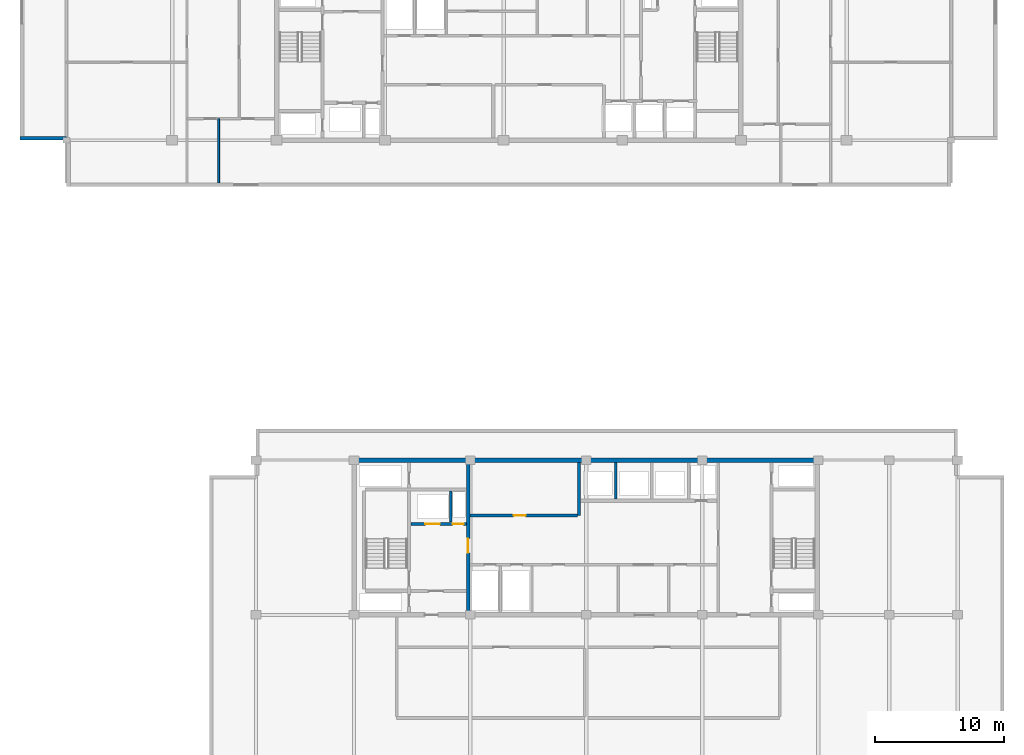
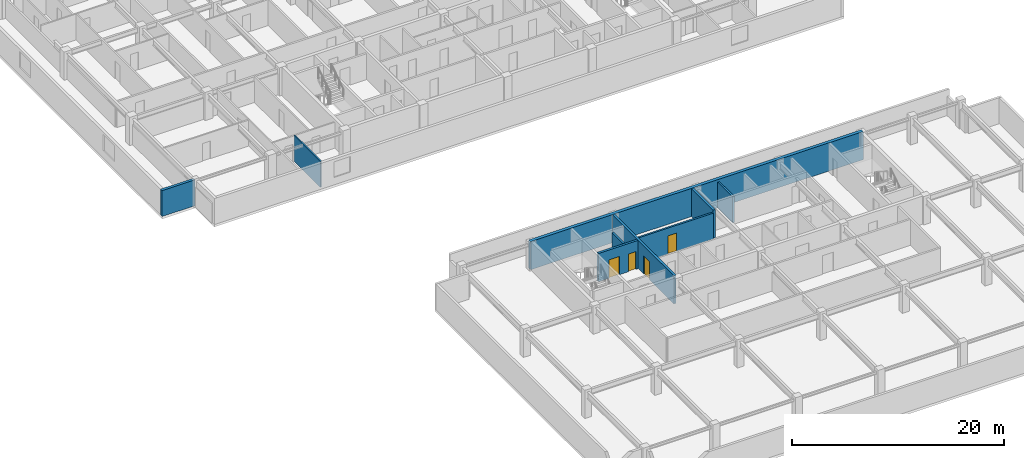
# One storey, part 5 of 17: 9 walls, 4 doors, 4 openings.
"""IFC4 building model written with IfcOpenShell, lengths in metres."""

import ifcopenshell
import ifcopenshell.guid

model = None  # the IFC model being written
_history = None  # IfcOwnerHistory: only IFC2X3 demands one
_inside = {}  # id of a spatial element -> (the spatial element, [elements in it])
_under = {}  # id of a project, library or spatial element -> (it, [spatial elements below it])
_declared = {}  # id of a project -> (the project, [libraries it declares])
_typed = {}  # id of a type object -> (the type object, [elements of that type])
_made_of = {}  # id of a material, layer set ... -> (it, [elements and type objects made of it])


def new_model(schema):
    """Start an empty IFC model of exactly this schema.

    Asked for "IFC4X3", IfcOpenShell would pick the latest addendum, in which some entities
    have other attributes; the version numbers below select the first issue.
    IFC2X3 requires an IfcOwnerHistory on every rooted entity: one is made here for all.
    """
    global model, _history
    if schema == "IFC4X3":
        model = ifcopenshell.file(schema_version=(4, 3, 0, 0))
    else:
        model = ifcopenshell.file(schema=schema)
    _inside.clear()
    _under.clear()
    _declared.clear()
    _typed.clear()
    _made_of.clear()
    _history = None
    if model.schema == "IFC2X3":
        org = make("IfcOrganization", Name="unknown")
        user = make(
            "IfcPersonAndOrganization",
            ThePerson=make("IfcPerson", FamilyName="unknown"),
            TheOrganization=org,
        )
        app = make(
            "IfcApplication",
            ApplicationDeveloper=org,
            Version="unknown",
            ApplicationFullName="unknown",
            ApplicationIdentifier="unknown",
        )
        _history = make(
            "IfcOwnerHistory",
            OwningUser=user,
            OwningApplication=app,
            ChangeAction="ADDED",
            CreationDate=0,
        )
    return model


def make(cls, **values):
    """One entity of the class cls with the attributes given. An attribute that is None is left unset."""
    return model.create_entity(
        cls, **{name: value for name, value in values.items() if value is not None}
    )


def rooted(cls, **values):
    """An entity with a GlobalId (a new one), such as an element, a storey or a relation."""
    return make(cls, GlobalId=ifcopenshell.guid.new(), OwnerHistory=_history, **values)


def si_unit(unit_type, name, prefix=None):
    """IfcSIUnit, for example si_unit("LENGTHUNIT", "METRE", prefix="MILLI")."""
    return make("IfcSIUnit", UnitType=unit_type, Prefix=prefix, Name=name)


def assignment(units):
    """IfcUnitAssignment: the units of a project."""
    return None if units is None else make("IfcUnitAssignment", Units=units)


def point(xyz):
    """IfcCartesianPoint."""
    return None if xyz is None else make("IfcCartesianPoint", Coordinates=xyz)


def direction(xyz):
    """IfcDirection."""
    return None if xyz is None else make("IfcDirection", DirectionRatios=xyz)


def frame(location, z_axis=None, x_axis=None):
    """IfcAxis2Placement3D, a coordinate frame: its origin and axes. An axis left out is left unset."""
    return make(
        "IfcAxis2Placement3D",
        Location=point(location),
        Axis=direction(z_axis),
        RefDirection=direction(x_axis),
    )


def frame_2d(location, x_axis=None):
    """IfcAxis2Placement2D, a coordinate frame in the plane: its origin and x axis."""
    return make(
        "IfcAxis2Placement2D", Location=point(location), RefDirection=direction(x_axis)
    )


def origin():
    """The frame at (0, 0, 0) with its axes left unset."""
    return frame((0.0, 0.0, 0.0))


def place(relative_to, where):
    """IfcLocalPlacement: puts the frame where relative to a parent placement (None: the world)."""
    return make(
        "IfcLocalPlacement", PlacementRelTo=relative_to, RelativePlacement=where
    )


def context(
    kind, dimensions, precision=None, world=None, true_north=None, identifier=None
):
    """IfcGeometricRepresentationContext, for example the 3D "Model" context."""
    return make(
        "IfcGeometricRepresentationContext",
        ContextIdentifier=identifier,
        ContextType=kind,
        CoordinateSpaceDimension=dimensions,
        Precision=precision,
        WorldCoordinateSystem=world,
        TrueNorth=true_north,
    )


def subcontext(parent, identifier, kind, view, scale=None):
    """IfcGeometricRepresentationSubContext, for example "Body" below "Model"."""
    return make(
        "IfcGeometricRepresentationSubContext",
        ContextIdentifier=identifier,
        ContextType=kind,
        ParentContext=parent,
        TargetScale=scale,
        TargetView=view,
    )


def project(units=None, contexts=None):
    """IfcProject with its units and contexts."""
    return rooted(
        "IfcProject",
        Name="project",
        RepresentationContexts=contexts,
        UnitsInContext=assignment(units),
    )


def spatial(cls, under=None, at=None, **own):
    """A site, building, storey or space (cls), placed at a placement, below another one or the project."""
    s = rooted(cls, ObjectPlacement=at, **own)
    if under is not None:
        _under.setdefault(under.id(), (under, []))[1].append(s)
    return s


def profile(cls, at=None, kind="AREA", **sizes):
    """A parametric profile (cls). Its sizes go by their IFC names, for example OverallWidth=200.0."""
    return make(cls, ProfileType=kind, Position=at, **sizes)


def rectangle(**sizes):
    """IfcRectangleProfileDef."""
    return profile("IfcRectangleProfileDef", **sizes)


def extrude(swept, where, along, depth):
    """IfcExtrudedAreaSolid: the profile swept, set in the frame where, extruded along a direction by depth."""
    return make(
        "IfcExtrudedAreaSolid",
        SweptArea=swept,
        Position=where,
        ExtrudedDirection=direction(along),
        Depth=depth,
    )


def shape(context_of_items, identifier, shape_type, items):
    """IfcShapeRepresentation: the items that make up one representation, for example the "Body"."""
    return make(
        "IfcShapeRepresentation",
        ContextOfItems=context_of_items,
        RepresentationIdentifier=identifier,
        RepresentationType=shape_type,
        Items=items,
    )


def material(Name=None, Category=None):
    """IfcMaterial."""
    return make("IfcMaterial", Name=Name, Category=Category)


def layer(
    of_material, thickness, ventilated=None, Name=None, Category=None, Priority=None
):
    """IfcMaterialLayer: one layer of a wall or slab, of a material (None: an air gap)."""
    return make(
        "IfcMaterialLayer",
        Material=of_material,
        LayerThickness=thickness,
        IsVentilated=ventilated,
        Name=Name,
        Category=Category,
        Priority=Priority,
    )


def layer_set(layers, Name=None):
    """IfcMaterialLayerSet."""
    return make("IfcMaterialLayerSet", MaterialLayers=layers, LayerSetName=Name)


def made_of(thing, what):
    """Note that an element or type object is made of a material, layer set ...; save() writes the relation."""
    if what is not None:
        _made_of.setdefault(what.id(), (what, []))[1].append(thing)
    return thing


def type_object(cls, material=None, **own):
    """A type object (cls), such as IfcWallType, which elements share."""
    return made_of(rooted(cls, **own), material)


def element(
    cls,
    number,
    at=None,
    inside=None,
    cuts=None,
    type_object=None,
    material=None,
    context=None,
    identifier="Body",
    shape_type=None,
    held_by="IfcProductDefinitionShape",
    body=None,
    shapes=None,
    **own,
):
    """One element of the class cls, such as IfcWall. Its Tag is "e" and its number.

    at: its placement. inside: the storey or other place that contains it. cuts: it is an
    opening in that element (IfcRelVoidsElement). A single representation is given by context,
    identifier, shape_type and body (its items); several are given by shapes. held_by: the class
    of the entity that holds the representations. save() writes the other relations.
    """
    e = rooted(cls, Tag="e%d" % number, ObjectPlacement=at, **own)
    if body is not None:
        shapes = [shape(context, identifier, shape_type, body)]
    if shapes is not None:
        e.Representation = make(held_by, Representations=shapes)
    if inside is not None:
        _inside.setdefault(inside.id(), (inside, []))[1].append(e)
    if cuts is not None:
        rooted(
            "IfcRelVoidsElement", RelatingBuildingElement=cuts, RelatedOpeningElement=e
        )
    if type_object is not None:
        _typed.setdefault(type_object.id(), (type_object, []))[1].append(e)
    return made_of(e, material)


def fill(opening, filler):
    """IfcRelFillsElement: the door or window that sits in an opening."""
    return rooted(
        "IfcRelFillsElement",
        RelatingOpeningElement=opening,
        RelatedBuildingElement=filler,
    )


def aggregate(whole, parts):
    """IfcRelAggregates: a whole, such as a stair, and the parts it consists of."""
    return rooted("IfcRelAggregates", RelatingObject=whole, RelatedObjects=parts)


def save(model, path):
    """Write the relations noted so far, then the file.

    IfcRelAggregates (storeys below a building ...), IfcRelContainedInSpatialStructure (elements
    in a storey), IfcRelDefinesByType, IfcRelAssociatesMaterial and IfcRelDeclares: one each for
    every whole, place, type object, material and project.
    """
    for whole, parts in _under.values():
        aggregate(whole, parts)
    for where, things in _inside.values():
        rooted(
            "IfcRelContainedInSpatialStructure",
            RelatedElements=things,
            RelatingStructure=where,
        )
    for kind, things in _typed.values():
        rooted("IfcRelDefinesByType", RelatedObjects=things, RelatingType=kind)
    for what, things in _made_of.values():
        rooted("IfcRelAssociatesMaterial", RelatedObjects=things, RelatingMaterial=what)
    for by, libraries in _declared.values():
        rooted("IfcRelDeclares", RelatingContext=by, RelatedDefinitions=libraries)
    model.write(path)


model = new_model("IFC4")

# Units and contexts
model_context = context("Model", 3, precision=1e-05, world=origin(), true_north=direction((0.0, 1.0)))
body_context = subcontext(model_context, "Body", "Model", "MODEL_VIEW")
ifc_project = project(units=[si_unit("LENGTHUNIT", "METRE"), si_unit("AREAUNIT", "SQUARE_METRE"), si_unit("VOLUMEUNIT", "CUBIC_METRE"), si_unit("PLANEANGLEUNIT", "RADIAN"), si_unit("MASSUNIT", "GRAM", prefix="KILO")], contexts=[model_context])

# Site, building, storey
site_placement = place(None, origin())
site = spatial("IfcSite", under=ifc_project, at=site_placement, CompositionType="ELEMENT")
building_placement = place(site_placement, origin())
building = spatial("IfcBuilding", under=site, at=building_placement, Name="Korimba Cascade Residences", CompositionType="ELEMENT")
storey_placement = place(building_placement, frame((0.0, 0.0, 204.35009765625)))
storey = spatial("IfcBuildingStorey", under=building, at=storey_placement, Name="L59", CompositionType="ELEMENT", Elevation=204.35009765625)

# Walls
ifc_material_1 = material(Name="Precast concrete C40/50", Category="concrete")
ifc_layer_1 = layer(ifc_material_1, 0.300048828125)
ifc_layer_set_1 = layer_set([ifc_layer_1], Name="Precast concrete C40/50")
wall_type_1 = type_object("IfcWallType", Name="EW-STONE-300", PredefinedType="STANDARD", material=ifc_layer_set_1)
wall_1_placement = place(storey_placement, frame((56.199951171875, 55.35009765625, 0.0), z_axis=(0.0, 0.0, 1.0), x_axis=(1.0, 0.0, 0.0)))
element("IfcWall", 1, at=wall_1_placement, inside=storey, type_object=wall_type_1, Name="L59 T1 Perimeter Stone Wall E10", PredefinedType="STANDARD", context=body_context, shape_type="SweptSolid", body=[
    extrude(rectangle(XDim=3.60009765625, YDim=0.300048828125, at=frame_2d((1.800048828125, 0.0))), origin(), (0.0, 0.0, 1.0), 2.97998046875),
])
ifc_material_2 = material(Name="Concrete C65/80", Category="concrete")
ifc_layer_2 = layer(ifc_material_2, 0.35009765625)
ifc_layer_set_2 = layer_set([ifc_layer_2], Name="Concrete C65/80")
wall_type_2 = type_object("IfcWallType", Name="WAL-CORE-350", PredefinedType="SHEAR", material=ifc_layer_set_2)
wall_2_placement = place(storey_placement, frame((81.925048828125, 30.39990234375, 0.0), z_axis=(0.0, 0.0, 1.0), x_axis=(1.0, 0.0, 0.0)))
element("IfcWall", 2, at=wall_2_placement, inside=storey, type_object=wall_type_2, Name="L59 Core Shear Wall CW-L59-T2-N", PredefinedType="SHEAR", context=body_context, shape_type="SweptSolid", body=[
    extrude(rectangle(XDim=36.264892578125, YDim=0.35009765625, at=frame_2d((18.13232421875, 0.0))), origin(), (0.0, 0.0, 1.0), 3.25),
])
ifc_material_3 = material(Name="Insulated Acoustic Stud Partition", Category="gypsum")
ifc_layer_3 = layer(ifc_material_3, 0.14990234375)
ifc_layer_set_3 = layer_set([ifc_layer_3], Name="Insulated Acoustic Stud Partition")
wall_type_3 = type_object("IfcWallType", Name="WAL-PART-150", PredefinedType="PARTITIONING", material=ifc_layer_set_3)
wall_3_placement = place(storey_placement, frame((71.60009765625, 51.89990234375, 0.0), z_axis=(0.0, 0.0, 1.0), x_axis=(0.0, 1.0, 0.0)))
element("IfcWall", 3, at=wall_3_placement, inside=storey, type_object=wall_type_3, Name="L59 Partition Wall WAL-L59-T1-FW-VS", PredefinedType="PARTITIONING", context=body_context, shape_type="SweptSolid", body=[
    extrude(rectangle(XDim=4.97021484375, YDim=0.14990234375, at=frame_2d((2.485107421875, 0.0))), origin(), (0.0, 0.0, 1.0), 2.97998046875),
])
ifc_material_4 = material(Name="Concrete C40/50", Category="concrete")
ifc_layer_4 = layer(ifc_material_4, 0.199951171875)
ifc_layer_set_4 = layer_set([ifc_layer_4], Name="Concrete C40/50")
wall_type_4 = type_object("IfcWallType", Name="WAL-PART-200", PredefinedType="PARTITIONING", material=ifc_layer_set_4)
wall_4_placement = place(storey_placement, frame((89.60009765625, 25.580078125, 0.0), z_axis=(0.0, 0.0, 1.0), x_axis=(0.0, 1.0, 0.0)))
element("IfcWall", 4, at=wall_4_placement, inside=storey, type_object=wall_type_4, Name="L59 Partition Wall CW-L59-T2-FFLDIV", PredefinedType="PARTITIONING", context=body_context, shape_type="SweptSolid", body=[
    extrude(rectangle(XDim=2.419921875, YDim=0.199951171875, at=frame_2d((1.2099609375, 0.0))), origin(), (0.0, 0.0, 1.0), 2.97998046875),
])

# Wall, opening, door
wall_5_placement = place(storey_placement, frame((91.080078125, 26.10009765625, 0.0), z_axis=(0.0, 0.0, 1.0), x_axis=(1.0, 0.0, 0.0)))
wall_5 = element("IfcWall", 5, at=wall_5_placement, inside=storey, type_object=wall_type_4, Name="L59 Partition Wall CW-L59-T2-B1RS", PredefinedType="PARTITIONING", context=body_context, shape_type="SweptSolid", body=[
    extrude(rectangle(XDim=8.33984375, YDim=0.199951171875, at=frame_2d((4.169921875, 0.0))), origin(), (0.0, 0.0, 1.0), 2.97998046875),
])
opening_1_placement = place(wall_5_placement, frame((3.39990234375, 0.0, 0.0)))
opening_1 = element("IfcOpeningElement", 6, at=opening_1_placement, cuts=wall_5, Name="Opening D-ST1", PredefinedType="OPENING", context=body_context, shape_type="SweptSolid", body=[
    extrude(rectangle(XDim=0.919921875, YDim=2.080078125, at=frame_2d((0.4599609375, 1.0400390625))), frame((0.0, 0.10986328125, 0.0), z_axis=(0.0, -1.0, 0.0), x_axis=(1.0, 0.0, 0.0)), (0.0, 0.0, 1.0), 0.219970703125),
])
ifc_material_5 = material(Name="Fire-Rated Core Store Door", Category="wood")
door_type_1 = type_object("IfcDoorType", Name="DR-FD60-920", OperationType="NOTDEFINED", PredefinedType="DOOR", material=ifc_material_5)
door_1_placement = place(opening_1_placement, origin())
door_1 = element("IfcDoor", 7, at=door_1_placement, inside=storey, type_object=door_type_1, Name="L59 T2 Resident Storage Door", OperationType="SINGLE_SWING_LEFT", OverallHeight=2.080078125, OverallWidth=0.919921875, PredefinedType="DOOR", context=body_context, shape_type="SweptSolid", body=[
    extrude(rectangle(XDim=0.919921875, YDim=2.080078125, at=frame_2d((0.4599609375, 1.0400390625))), frame((0.0, 0.02490234375, 0.0), z_axis=(0.0, -1.0, 0.0), x_axis=(1.0, 0.0, 0.0)), (0.0, 0.0, 1.0), 0.050048828125),
])
fill(opening_1, door_1)

# Wall
wall_6_placement = place(storey_placement, frame((102.39990234375, 27.3798828125, 0.0), z_axis=(0.0, 0.0, 1.0), x_axis=(0.0, 1.0, 0.0)))
element("IfcWall", 8, at=wall_6_placement, inside=storey, type_object=wall_type_4, Name="L59 Partition Wall CW-L59-T2-B2D1", PredefinedType="PARTITIONING", context=body_context, shape_type="SweptSolid", body=[
    extrude(rectangle(XDim=2.820068359375, YDim=0.199951171875, at=frame_2d((1.41015625, 0.0))), origin(), (0.0, 0.0, 1.0), 2.97998046875),
])

# Wall, openings, doors
ifc_material_6 = material(Name="Concrete C50/60", Category="concrete")
ifc_layer_5 = layer(ifc_material_6, 0.25)
ifc_layer_set_5 = layer_set([ifc_layer_5], Name="Concrete C50/60")
wall_type_5 = type_object("IfcWallType", Name="WAL-SHAFT-250", PredefinedType="SHEAR", material=ifc_layer_set_5)
wall_7_placement = place(storey_placement, frame((86.5, 25.449951171875, 0.0), z_axis=(0.0, 0.0, 1.0), x_axis=(1.0, 0.0, 0.0)))
wall_7 = element("IfcWall", 9, at=wall_7_placement, inside=storey, type_object=wall_type_5, Name="L59 Core Shear Wall CW-L59-T2-FFLN", PredefinedType="SHEAR", context=body_context, shape_type="SweptSolid", body=[
    extrude(rectangle(XDim=4.320068359375, YDim=0.25, at=frame_2d((2.16015625, 0.0))), origin(), (0.0, 0.0, 1.0), 3.25),
])
opening_2_placement = place(wall_7_placement, frame((1.139892578125, 0.0, 0.0)))
opening_2 = element("IfcOpeningElement", 10, at=opening_2_placement, cuts=wall_7, Name="Opening LD-01", PredefinedType="OPENING", context=body_context, shape_type="SweptSolid", body=[
    extrude(rectangle(XDim=1.1201171875, YDim=2.1201171875, at=frame_2d((0.56005859375, 1.06005859375))), frame((0.0, 0.135009765625, 0.0), z_axis=(0.0, -1.0, 0.0), x_axis=(1.0, 0.0, 0.0)), (0.0, 0.0, 1.0), 0.27001953125),
])
opening_3_placement = place(wall_7_placement, frame((3.25, 0.0, 0.0)))
opening_3 = element("IfcOpeningElement", 11, at=opening_3_placement, cuts=wall_7, Name="Opening D-RS1", PredefinedType="OPENING", context=body_context, shape_type="SweptSolid", body=[
    extrude(rectangle(XDim=0.85009765625, YDim=2.050048828125, at=frame_2d((0.425048828125, 1.02490234375))), frame((0.0, 0.135009765625, 0.0), z_axis=(0.0, -1.0, 0.0), x_axis=(1.0, 0.0, 0.0)), (0.0, 0.0, 1.0), 0.27001953125),
])
ifc_material_7 = material(Name="Fire-Rated Steel Riser Access Door", Category="steel")
door_type_2 = type_object("IfcDoorType", Name="DR-FD60-850", OperationType="NOTDEFINED", PredefinedType="DOOR", material=ifc_material_7)
door_2_placement = place(opening_3_placement, origin())
door_2 = element("IfcDoor", 12, at=door_2_placement, inside=storey, type_object=door_type_2, Name="L59 T2 Pressurisation Riser Door", OperationType="SINGLE_SWING_RIGHT", OverallHeight=2.050048828125, OverallWidth=0.85009765625, PredefinedType="DOOR", context=body_context, shape_type="SweptSolid", body=[
    extrude(rectangle(XDim=0.85009765625, YDim=2.050048828125, at=frame_2d((0.425048828125, 1.02490234375))), frame((0.0, 0.02490234375, 0.0), z_axis=(0.0, -1.0, 0.0), x_axis=(1.0, 0.0, 0.0)), (0.0, 0.0, 1.0), 0.050048828125),
])
fill(opening_3, door_2)
ifc_material_8 = material(Name="Stainless Steel Lift Landing Sliding Door", Category="steel")
door_type_3 = type_object("IfcDoorType", Name="DR-LIFT-1100", OperationType="NOTDEFINED", PredefinedType="DOOR", material=ifc_material_8)
door_3_placement = place(opening_2_placement, origin())
door_3 = element("IfcDoor", 13, at=door_3_placement, inside=storey, type_object=door_type_3, Name="L59 Firefighting Lift Landing Door FFL-E1", OperationType="SLIDING_TO_RIGHT", OverallHeight=2.1201171875, OverallWidth=1.1201171875, PredefinedType="DOOR", context=body_context, shape_type="SweptSolid", body=[
    extrude(rectangle(XDim=1.1201171875, YDim=2.1201171875, at=frame_2d((0.56005859375, 1.06005859375))), frame((0.0, 0.02490234375, 0.0), z_axis=(0.0, -1.0, 0.0), x_axis=(1.0, 0.0, 0.0)), (0.0, 0.0, 1.0), 0.050048828125),
])
fill(opening_2, door_3)

# Wall, opening, door
wall_8_placement = place(storey_placement, frame((90.949951171875, 18.60009765625, 0.0), z_axis=(0.0, 0.0, 1.0), x_axis=(0.0, 1.0, 0.0)))
wall_8 = element("IfcWall", 14, at=wall_8_placement, inside=storey, type_object=wall_type_5, Name="L59 Core Shear Wall CW-L59-T2-FFLE", PredefinedType="SHEAR", context=body_context, shape_type="SweptSolid", body=[
    extrude(rectangle(XDim=11.599853515625, YDim=0.25, at=frame_2d((5.7998046875, 0.0))), origin(), (0.0, 0.0, 1.0), 3.25),
])
opening_4_placement = place(wall_8_placement, frame((4.60009765625, 0.0, 0.0)))
opening_4 = element("IfcOpeningElement", 15, at=opening_4_placement, cuts=wall_8, Name="Opening D-FD1", PredefinedType="OPENING", context=body_context, shape_type="SweptSolid", body=[
    extrude(rectangle(XDim=1.10009765625, YDim=2.10009765625, at=frame_2d((0.550048828125, 1.050048828125))), frame((0.0, 0.135009765625, 0.0), z_axis=(0.0, -1.0, 0.0), x_axis=(1.0, 0.0, 0.0)), (0.0, 0.0, 1.0), 0.27001953125),
])
ifc_material_9 = material(Name="Fire-Rated Steel Core Door", Category="steel")
door_type_4 = type_object("IfcDoorType", Name="DR-FD120-1100", OperationType="NOTDEFINED", PredefinedType="DOOR", material=ifc_material_9)
door_4_placement = place(opening_4_placement, origin())
door_4 = element("IfcDoor", 16, at=door_4_placement, inside=storey, type_object=door_type_4, Name="L59 T2 Firefighting Lobby to Lift Lobby Door", OperationType="SINGLE_SWING_RIGHT", OverallHeight=2.10009765625, OverallWidth=1.10009765625, PredefinedType="DOOR", context=body_context, shape_type="SweptSolid", body=[
    extrude(rectangle(XDim=1.10009765625, YDim=2.10009765625, at=frame_2d((0.550048828125, 1.050048828125))), frame((0.0, 0.02490234375, 0.0), z_axis=(0.0, -1.0, 0.0), x_axis=(1.0, 0.0, 0.0)), (0.0, 0.0, 1.0), 0.050048828125),
])
fill(opening_4, door_4)

# Wall
wall_9_placement = place(storey_placement, frame((99.550048828125, 26.10009765625, 0.0), z_axis=(0.0, 0.0, 1.0), x_axis=(0.0, 1.0, 0.0)))
element("IfcWall", 17, at=wall_9_placement, inside=storey, type_object=wall_type_5, Name="L59 Core Shear Wall CW-L59-T2-B12DIV", PredefinedType="SHEAR", context=body_context, shape_type="SweptSolid", body=[
    extrude(rectangle(XDim=4.099853515625, YDim=0.25, at=frame_2d((2.0498046875, 0.0))), origin(), (0.0, 0.0, 1.0), 3.25),
])

save(model, "model.ifc")
